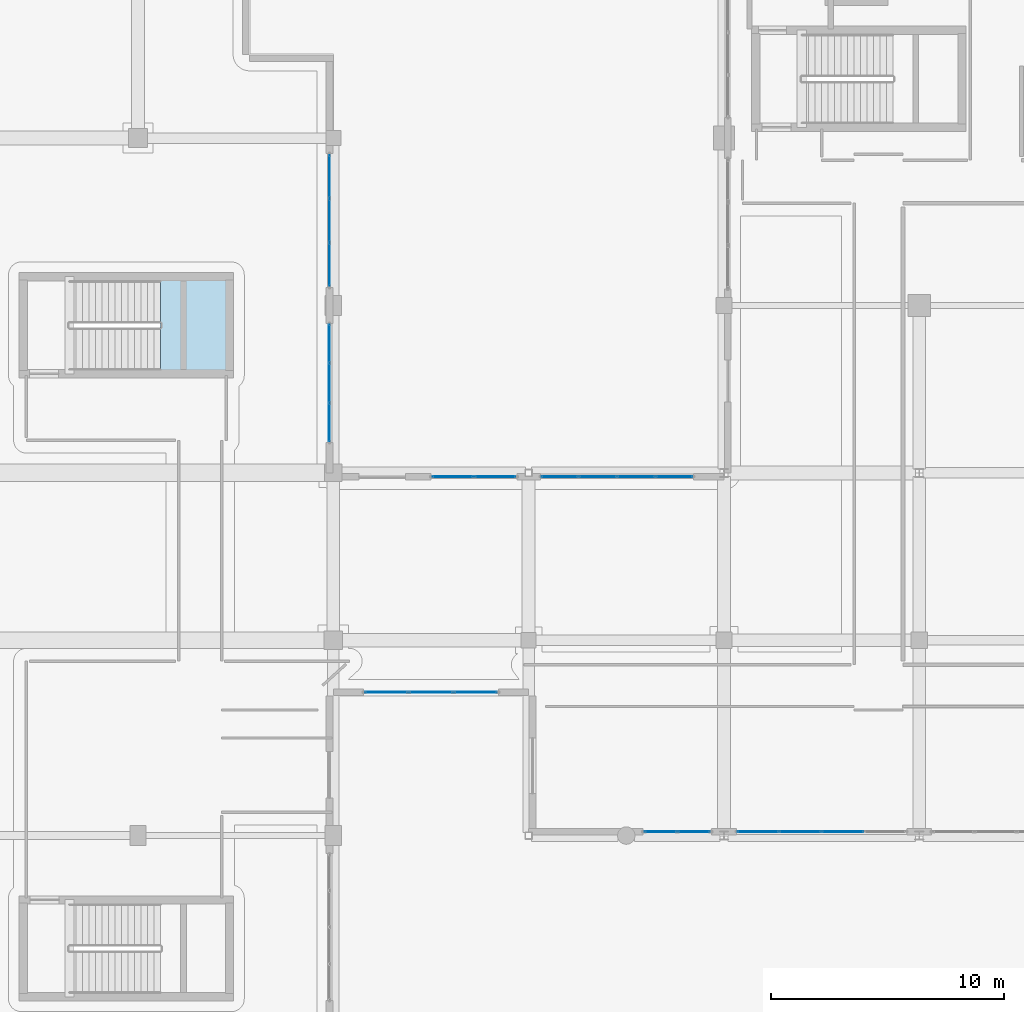
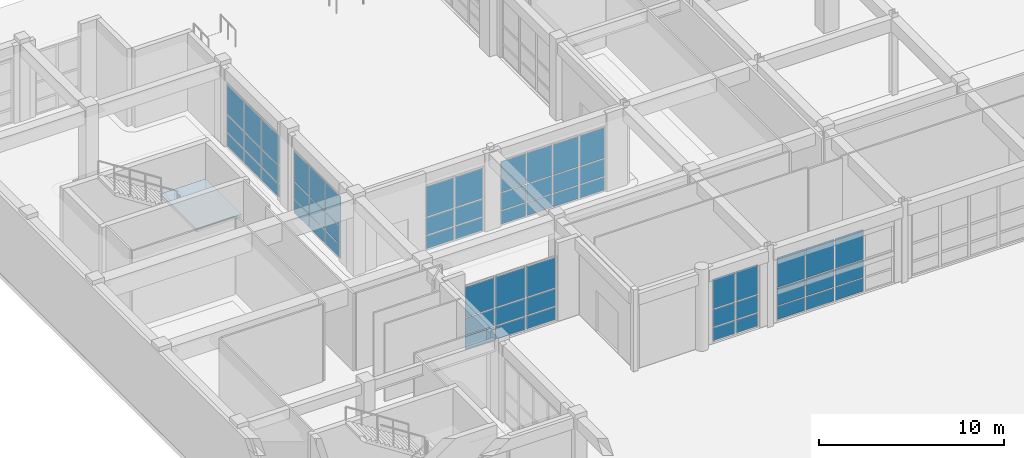
# One storey, part 113 of 148: 60 plates, 1 slab, 8 elements without a shape of their own.
"""IFC4 building model written with IfcOpenShell, lengths in metres."""

from ifc_helpers import new_model, si_unit, direction, frame, origin, origin_2d, place, context, subcontext, project, spatial, polyline, rectangle, outline, extrude, material, layer, layer_set, type_object, element, aggregate, save


model = new_model("IFC4")

# Units and contexts
model_context = context("Model", 3, precision=1e-05, world=origin(), true_north=direction((0.0, 1.0)))
body_context = subcontext(model_context, "Body", "Model", "MODEL_VIEW")
ifc_project = project(units=[si_unit("LENGTHUNIT", "METRE"), si_unit("AREAUNIT", "SQUARE_METRE"), si_unit("VOLUMEUNIT", "CUBIC_METRE"), si_unit("PLANEANGLEUNIT", "RADIAN"), si_unit("MASSUNIT", "GRAM", prefix="KILO")], contexts=[model_context])

# Site, building, storey
site_placement = place(None, origin())
site = spatial("IfcSite", under=ifc_project, at=site_placement, CompositionType="ELEMENT")
building_placement = place(site_placement, origin())
building = spatial("IfcBuilding", under=site, at=building_placement, Name="Quendrovan Civic Courthouse", CompositionType="ELEMENT")
storey_placement = place(building_placement, origin())
storey = spatial("IfcBuildingStorey", under=building, at=storey_placement, Name="L01", CompositionType="ELEMENT", Elevation=0.0)

# Curtain wall, plates
ifc_material_1 = material(Name="Bronze anodised aluminium and low-E glass", Category="aluminium")
ifc_layer_1 = layer(ifc_material_1, 0.179931640625, Name="Bronze anodised aluminium and low-E glass")
ifc_layer_set_1 = layer_set([ifc_layer_1], Name="Bronze anodised aluminium and low-E glass")
curtain_wall_type_1 = type_object("IfcCurtainWallType", Name="CW-U58x43", PredefinedType="USERDEFINED", material=ifc_layer_set_1)
curtain_wall_1_placement = place(storey_placement, origin())
curtain_wall_1 = element("IfcCurtainWall", 1, at=curtain_wall_1_placement, inside=storey, type_object=curtain_wall_type_1, Name="L01 Unitised Hurricane Curtain Wall CW-012", ObjectType="UNITISED CURTAIN WALL", PredefinedType="USERDEFINED")
ifc_material_2 = material(Name="Laminated hurricane-impact low-E glass", Category="glass")
ifc_layer_2 = layer(ifc_material_2, 0.028076171875, Name="Laminated hurricane-impact low-E glass")
ifc_layer_set_2 = layer_set([ifc_layer_2], Name="Laminated hurricane-impact low-E glass")
plate_type_1 = type_object("IfcPlateType", Name="CW-PNL-1", PredefinedType="CURTAIN_PANEL", material=ifc_layer_set_2)
plate_1_placement = place(storey_placement, frame((22.915771484375, 70.965087890625, 0.06982421875), z_axis=(0.0, 0.0, 1.0), x_axis=(-1.0, 0.0, 0.0)))
plate_1 = element("IfcPlate", 2, at=plate_1_placement, type_object=plate_type_1, Name="CW-012 panel 1.1", PredefinedType="CURTAIN_PANEL", context=body_context, shape_type="SweptSolid", body=[
    extrude(rectangle(XDim=1.828369140625, YDim=0.028076171875, at=origin_2d()), origin(), (0.0, 0.0, 1.0), 0.844970703125),
])
plate_2_placement = place(storey_placement, frame((22.915771484375, 70.965087890625, 0.985107421875), z_axis=(0.0, 0.0, 1.0), x_axis=(-1.0, 0.0, 0.0)))
plate_2 = element("IfcPlate", 3, at=plate_2_placement, type_object=plate_type_1, Name="CW-012 panel 1.2", PredefinedType="CURTAIN_PANEL", context=body_context, shape_type="SweptSolid", body=[
    extrude(rectangle(XDim=1.828369140625, YDim=0.028076171875, at=origin_2d()), origin(), (0.0, 0.0, 1.0), 1.1298828125),
])
plate_3_placement = place(storey_placement, frame((22.915771484375, 70.965087890625, 2.18505859375), z_axis=(0.0, 0.0, 1.0), x_axis=(-1.0, 0.0, 0.0)))
plate_3 = element("IfcPlate", 4, at=plate_3_placement, type_object=plate_type_1, Name="CW-012 panel 1.3", PredefinedType="CURTAIN_PANEL", context=body_context, shape_type="SweptSolid", body=[
    extrude(rectangle(XDim=1.828369140625, YDim=0.028076171875, at=origin_2d()), origin(), (0.0, 0.0, 1.0), 2.0048828125),
])
plate_4_placement = place(storey_placement, frame((21.0, 70.965087890625, 0.06982421875), z_axis=(0.0, 0.0, 1.0), x_axis=(-1.0, 0.0, 0.0)))
plate_4 = element("IfcPlate", 5, at=plate_4_placement, type_object=plate_type_1, Name="CW-012 panel 2.1", PredefinedType="CURTAIN_PANEL", context=body_context, shape_type="SweptSolid", body=[
    extrude(rectangle(XDim=1.86328125, YDim=0.028076171875, at=origin_2d()), origin(), (0.0, 0.0, 1.0), 0.844970703125),
])
plate_5_placement = place(storey_placement, frame((21.0, 70.965087890625, 0.985107421875), z_axis=(0.0, 0.0, 1.0), x_axis=(-1.0, 0.0, 0.0)))
plate_5 = element("IfcPlate", 6, at=plate_5_placement, type_object=plate_type_1, Name="CW-012 panel 2.2", PredefinedType="CURTAIN_PANEL", context=body_context, shape_type="SweptSolid", body=[
    extrude(rectangle(XDim=1.86328125, YDim=0.028076171875, at=origin_2d()), origin(), (0.0, 0.0, 1.0), 1.1298828125),
])
plate_6_placement = place(storey_placement, frame((21.0, 70.965087890625, 2.18505859375), z_axis=(0.0, 0.0, 1.0), x_axis=(-1.0, 0.0, 0.0)))
plate_6 = element("IfcPlate", 7, at=plate_6_placement, type_object=plate_type_1, Name="CW-012 panel 2.3", PredefinedType="CURTAIN_PANEL", context=body_context, shape_type="SweptSolid", body=[
    extrude(rectangle(XDim=1.86328125, YDim=0.028076171875, at=origin_2d()), origin(), (0.0, 0.0, 1.0), 2.0048828125),
])
plate_7_placement = place(storey_placement, frame((19.084228515625, 70.965087890625, 0.06982421875), z_axis=(0.0, 0.0, 1.0), x_axis=(-1.0, 0.0, 0.0)))
plate_7 = element("IfcPlate", 8, at=plate_7_placement, type_object=plate_type_1, Name="CW-012 panel 3.1", PredefinedType="CURTAIN_PANEL", context=body_context, shape_type="SweptSolid", body=[
    extrude(rectangle(XDim=1.828369140625, YDim=0.028076171875, at=origin_2d()), origin(), (0.0, 0.0, 1.0), 0.844970703125),
])
plate_8_placement = place(storey_placement, frame((19.084228515625, 70.965087890625, 0.985107421875), z_axis=(0.0, 0.0, 1.0), x_axis=(-1.0, 0.0, 0.0)))
plate_8 = element("IfcPlate", 9, at=plate_8_placement, type_object=plate_type_1, Name="CW-012 panel 3.2", PredefinedType="CURTAIN_PANEL", context=body_context, shape_type="SweptSolid", body=[
    extrude(rectangle(XDim=1.828369140625, YDim=0.028076171875, at=origin_2d()), origin(), (0.0, 0.0, 1.0), 1.1298828125),
])
plate_9_placement = place(storey_placement, frame((19.084228515625, 70.965087890625, 2.18505859375), z_axis=(0.0, 0.0, 1.0), x_axis=(-1.0, 0.0, 0.0)))
plate_9 = element("IfcPlate", 10, at=plate_9_placement, type_object=plate_type_1, Name="CW-012 panel 3.3", PredefinedType="CURTAIN_PANEL", context=body_context, shape_type="SweptSolid", body=[
    extrude(rectangle(XDim=1.828369140625, YDim=0.028076171875, at=origin_2d()), origin(), (0.0, 0.0, 1.0), 2.0048828125),
])
aggregate(curtain_wall_1, [plate_1, plate_2, plate_3, plate_4, plate_5, plate_6, plate_7, plate_8, plate_9])

ifc_layer_3 = layer(ifc_material_1, 0.179931640625, Name="Bronze anodised aluminium and low-E glass")
ifc_layer_set_3 = layer_set([ifc_layer_3], Name="Bronze anodised aluminium and low-E glass")
curtain_wall_type_2 = type_object("IfcCurtainWallType", Name="CW-U37x43", PredefinedType="USERDEFINED", material=ifc_layer_set_3)
curtain_wall_2_placement = place(storey_placement, origin())
curtain_wall_2 = element("IfcCurtainWall", 11, at=curtain_wall_2_placement, inside=storey, type_object=curtain_wall_type_2, Name="L01 Unitised Hurricane Curtain Wall CW-020", ObjectType="UNITISED CURTAIN WALL", PredefinedType="USERDEFINED")
plate_10_placement = place(storey_placement, frame((21.9423828125, 80.235107421875, 0.06982421875), z_axis=(0.0, 0.0, 1.0), x_axis=(1.0, 0.0, 0.0)))
plate_10 = element("IfcPlate", 12, at=plate_10_placement, type_object=plate_type_1, Name="CW-020 panel 1.1", PredefinedType="CURTAIN_PANEL", context=body_context, shape_type="SweptSolid", body=[
    extrude(rectangle(XDim=1.7451171875, YDim=0.028076171875, at=origin_2d()), origin(), (0.0, 0.0, 1.0), 0.844970703125),
])
plate_11_placement = place(storey_placement, frame((21.9423828125, 80.235107421875, 0.985107421875), z_axis=(0.0, 0.0, 1.0), x_axis=(1.0, 0.0, 0.0)))
plate_11 = element("IfcPlate", 13, at=plate_11_placement, type_object=plate_type_1, Name="CW-020 panel 1.2", PredefinedType="CURTAIN_PANEL", context=body_context, shape_type="SweptSolid", body=[
    extrude(rectangle(XDim=1.7451171875, YDim=0.028076171875, at=origin_2d()), origin(), (0.0, 0.0, 1.0), 1.1298828125),
])
plate_12_placement = place(storey_placement, frame((21.9423828125, 80.235107421875, 2.18505859375), z_axis=(0.0, 0.0, 1.0), x_axis=(1.0, 0.0, 0.0)))
plate_12 = element("IfcPlate", 14, at=plate_12_placement, type_object=plate_type_1, Name="CW-020 panel 1.3", PredefinedType="CURTAIN_PANEL", context=body_context, shape_type="SweptSolid", body=[
    extrude(rectangle(XDim=1.7451171875, YDim=0.028076171875, at=origin_2d()), origin(), (0.0, 0.0, 1.0), 2.0048828125),
])
plate_13_placement = place(storey_placement, frame((23.757568359375, 80.235107421875, 0.06982421875), z_axis=(0.0, 0.0, 1.0), x_axis=(1.0, 0.0, 0.0)))
plate_13 = element("IfcPlate", 15, at=plate_13_placement, type_object=plate_type_1, Name="CW-020 panel 2.1", PredefinedType="CURTAIN_PANEL", context=body_context, shape_type="SweptSolid", body=[
    extrude(rectangle(XDim=1.7451171875, YDim=0.028076171875, at=origin_2d()), origin(), (0.0, 0.0, 1.0), 0.844970703125),
])
plate_14_placement = place(storey_placement, frame((23.757568359375, 80.235107421875, 0.985107421875), z_axis=(0.0, 0.0, 1.0), x_axis=(1.0, 0.0, 0.0)))
plate_14 = element("IfcPlate", 16, at=plate_14_placement, type_object=plate_type_1, Name="CW-020 panel 2.2", PredefinedType="CURTAIN_PANEL", context=body_context, shape_type="SweptSolid", body=[
    extrude(rectangle(XDim=1.7451171875, YDim=0.028076171875, at=origin_2d()), origin(), (0.0, 0.0, 1.0), 1.1298828125),
])
plate_15_placement = place(storey_placement, frame((23.757568359375, 80.235107421875, 2.18505859375), z_axis=(0.0, 0.0, 1.0), x_axis=(1.0, 0.0, 0.0)))
plate_15 = element("IfcPlate", 17, at=plate_15_placement, type_object=plate_type_1, Name="CW-020 panel 2.3", PredefinedType="CURTAIN_PANEL", context=body_context, shape_type="SweptSolid", body=[
    extrude(rectangle(XDim=1.7451171875, YDim=0.028076171875, at=origin_2d()), origin(), (0.0, 0.0, 1.0), 2.0048828125),
])
aggregate(curtain_wall_2, [plate_10, plate_11, plate_12, plate_13, plate_14, plate_15])

ifc_layer_4 = layer(ifc_material_1, 0.179931640625, Name="Bronze anodised aluminium and low-E glass")
ifc_layer_set_4 = layer_set([ifc_layer_4], Name="Bronze anodised aluminium and low-E glass")
curtain_wall_type_3 = type_object("IfcCurtainWallType", Name="CW-U66x43", PredefinedType="USERDEFINED", material=ifc_layer_set_4)
curtain_wall_3_placement = place(storey_placement, origin())
curtain_wall_3 = element("IfcCurtainWall", 18, at=curtain_wall_3_placement, inside=storey, type_object=curtain_wall_type_3, Name="L01 Unitised Hurricane Curtain Wall CW-021", ObjectType="UNITISED CURTAIN WALL", PredefinedType="USERDEFINED")
ifc_layer_5 = layer(ifc_material_2, 0.031982421875, Name="Laminated hurricane-impact low-E glass")
ifc_layer_set_5 = layer_set([ifc_layer_5], Name="Laminated hurricane-impact low-E glass")
plate_type_2 = type_object("IfcPlateType", Name="CW-PNL-2", PredefinedType="CURTAIN_PANEL", material=ifc_layer_set_5)
plate_16_placement = place(storey_placement, frame((26.541259765625, 80.235107421875, 0.06494140625), z_axis=(0.0, 0.0, 1.0), x_axis=(1.0, 0.0, 0.0)))
plate_16 = element("IfcPlate", 19, at=plate_16_placement, type_object=plate_type_2, Name="CW-021 panel 1.1", PredefinedType="CURTAIN_PANEL", context=body_context, shape_type="SweptSolid", body=[
    extrude(rectangle(XDim=1.552490234375, YDim=0.031982421875, at=origin_2d()), origin(), (0.0, 0.0, 1.0), 0.8525390625),
])
plate_17_placement = place(storey_placement, frame((26.541259765625, 80.235107421875, 0.982421875), z_axis=(0.0, 0.0, 1.0), x_axis=(1.0, 0.0, 0.0)))
plate_17 = element("IfcPlate", 20, at=plate_17_placement, type_object=plate_type_2, Name="CW-021 panel 1.2", PredefinedType="CURTAIN_PANEL", context=body_context, shape_type="SweptSolid", body=[
    extrude(rectangle(XDim=1.552490234375, YDim=0.031982421875, at=origin_2d()), origin(), (0.0, 0.0, 1.0), 1.135009765625),
])
plate_18_placement = place(storey_placement, frame((26.541259765625, 80.235107421875, 2.1826171875), z_axis=(0.0, 0.0, 1.0), x_axis=(1.0, 0.0, 0.0)))
plate_18 = element("IfcPlate", 21, at=plate_18_placement, type_object=plate_type_2, Name="CW-021 panel 1.3", PredefinedType="CURTAIN_PANEL", context=body_context, shape_type="SweptSolid", body=[
    extrude(rectangle(XDim=1.552490234375, YDim=0.031982421875, at=origin_2d()), origin(), (0.0, 0.0, 1.0), 2.012451171875),
])
plate_19_placement = place(storey_placement, frame((28.175048828125, 80.235107421875, 0.06494140625), z_axis=(0.0, 0.0, 1.0), x_axis=(1.0, 0.0, 0.0)))
plate_19 = element("IfcPlate", 22, at=plate_19_placement, type_object=plate_type_2, Name="CW-021 panel 2.1", PredefinedType="CURTAIN_PANEL", context=body_context, shape_type="SweptSolid", body=[
    extrude(rectangle(XDim=1.5849609375, YDim=0.031982421875, at=origin_2d()), origin(), (0.0, 0.0, 1.0), 0.8525390625),
])
plate_20_placement = place(storey_placement, frame((28.175048828125, 80.235107421875, 0.982421875), z_axis=(0.0, 0.0, 1.0), x_axis=(1.0, 0.0, 0.0)))
plate_20 = element("IfcPlate", 23, at=plate_20_placement, type_object=plate_type_2, Name="CW-021 panel 2.2", PredefinedType="CURTAIN_PANEL", context=body_context, shape_type="SweptSolid", body=[
    extrude(rectangle(XDim=1.5849609375, YDim=0.031982421875, at=origin_2d()), origin(), (0.0, 0.0, 1.0), 1.135009765625),
])
plate_21_placement = place(storey_placement, frame((28.175048828125, 80.235107421875, 2.1826171875), z_axis=(0.0, 0.0, 1.0), x_axis=(1.0, 0.0, 0.0)))
plate_21 = element("IfcPlate", 24, at=plate_21_placement, type_object=plate_type_2, Name="CW-021 panel 2.3", PredefinedType="CURTAIN_PANEL", context=body_context, shape_type="SweptSolid", body=[
    extrude(rectangle(XDim=1.5849609375, YDim=0.031982421875, at=origin_2d()), origin(), (0.0, 0.0, 1.0), 2.012451171875),
])
plate_22_placement = place(storey_placement, frame((29.824951171875, 80.235107421875, 0.06494140625), z_axis=(0.0, 0.0, 1.0), x_axis=(1.0, 0.0, 0.0)))
plate_22 = element("IfcPlate", 25, at=plate_22_placement, type_object=plate_type_2, Name="CW-021 panel 3.1", PredefinedType="CURTAIN_PANEL", context=body_context, shape_type="SweptSolid", body=[
    extrude(rectangle(XDim=1.5849609375, YDim=0.031982421875, at=origin_2d()), origin(), (0.0, 0.0, 1.0), 0.8525390625),
])
plate_23_placement = place(storey_placement, frame((29.824951171875, 80.235107421875, 0.982421875), z_axis=(0.0, 0.0, 1.0), x_axis=(1.0, 0.0, 0.0)))
plate_23 = element("IfcPlate", 26, at=plate_23_placement, type_object=plate_type_2, Name="CW-021 panel 3.2", PredefinedType="CURTAIN_PANEL", context=body_context, shape_type="SweptSolid", body=[
    extrude(rectangle(XDim=1.5849609375, YDim=0.031982421875, at=origin_2d()), origin(), (0.0, 0.0, 1.0), 1.135009765625),
])
plate_24_placement = place(storey_placement, frame((29.824951171875, 80.235107421875, 2.1826171875), z_axis=(0.0, 0.0, 1.0), x_axis=(1.0, 0.0, 0.0)))
plate_24 = element("IfcPlate", 27, at=plate_24_placement, type_object=plate_type_2, Name="CW-021 panel 3.3", PredefinedType="CURTAIN_PANEL", context=body_context, shape_type="SweptSolid", body=[
    extrude(rectangle(XDim=1.5849609375, YDim=0.031982421875, at=origin_2d()), origin(), (0.0, 0.0, 1.0), 2.012451171875),
])
plate_25_placement = place(storey_placement, frame((31.458740234375, 80.235107421875, 0.06494140625), z_axis=(0.0, 0.0, 1.0), x_axis=(1.0, 0.0, 0.0)))
plate_25 = element("IfcPlate", 28, at=plate_25_placement, type_object=plate_type_2, Name="CW-021 panel 4.1", PredefinedType="CURTAIN_PANEL", context=body_context, shape_type="SweptSolid", body=[
    extrude(rectangle(XDim=1.552490234375, YDim=0.031982421875, at=origin_2d()), origin(), (0.0, 0.0, 1.0), 0.8525390625),
])
plate_26_placement = place(storey_placement, frame((31.458740234375, 80.235107421875, 0.982421875), z_axis=(0.0, 0.0, 1.0), x_axis=(1.0, 0.0, 0.0)))
plate_26 = element("IfcPlate", 29, at=plate_26_placement, type_object=plate_type_2, Name="CW-021 panel 4.2", PredefinedType="CURTAIN_PANEL", context=body_context, shape_type="SweptSolid", body=[
    extrude(rectangle(XDim=1.552490234375, YDim=0.031982421875, at=origin_2d()), origin(), (0.0, 0.0, 1.0), 1.135009765625),
])
plate_27_placement = place(storey_placement, frame((31.458740234375, 80.235107421875, 2.1826171875), z_axis=(0.0, 0.0, 1.0), x_axis=(1.0, 0.0, 0.0)))
plate_27 = element("IfcPlate", 30, at=plate_27_placement, type_object=plate_type_2, Name="CW-021 panel 4.3", PredefinedType="CURTAIN_PANEL", context=body_context, shape_type="SweptSolid", body=[
    extrude(rectangle(XDim=1.552490234375, YDim=0.031982421875, at=origin_2d()), origin(), (0.0, 0.0, 1.0), 2.012451171875),
])
aggregate(curtain_wall_3, [plate_16, plate_17, plate_18, plate_19, plate_20, plate_21, plate_22, plate_23, plate_24, plate_25, plate_26, plate_27])

ifc_layer_6 = layer(ifc_material_1, 0.179931640625, Name="Bronze anodised aluminium and low-E glass")
ifc_layer_set_6 = layer_set([ifc_layer_6], Name="Bronze anodised aluminium and low-E glass")
curtain_wall_type_4 = type_object("IfcCurtainWallType", Name="CW-U73x42", PredefinedType="USERDEFINED", material=ifc_layer_set_6)
curtain_wall_4_placement = place(storey_placement, origin())
curtain_wall_4 = element("IfcCurtainWall", 31, at=curtain_wall_4_placement, inside=storey, type_object=curtain_wall_type_4, Name="L01 Unitised Hurricane Curtain Wall CW-065", ObjectType="UNITISED CURTAIN WALL", PredefinedType="USERDEFINED")
plate_28_placement = place(storey_placement, frame((38.7158203125, 64.965087890625, 0.06494140625), z_axis=(0.0, 0.0, 1.0), x_axis=(-1.0, 0.0, 0.0)))
plate_28 = element("IfcPlate", 32, at=plate_28_placement, type_object=plate_type_2, Name="CW-065 panel 2.1", PredefinedType="CURTAIN_PANEL", context=body_context, shape_type="SweptSolid", body=[
    extrude(rectangle(XDim=1.7666015625, YDim=0.031982421875, at=origin_2d()), origin(), (0.0, 0.0, 1.0), 0.8525390625),
])
plate_29_placement = place(storey_placement, frame((38.7158203125, 64.965087890625, 0.982421875), z_axis=(0.0, 0.0, 1.0), x_axis=(-1.0, 0.0, 0.0)))
plate_29 = element("IfcPlate", 33, at=plate_29_placement, type_object=plate_type_2, Name="CW-065 panel 2.2", PredefinedType="CURTAIN_PANEL", context=body_context, shape_type="SweptSolid", body=[
    extrude(rectangle(XDim=1.7666015625, YDim=0.031982421875, at=origin_2d()), origin(), (0.0, 0.0, 1.0), 1.135009765625),
])
plate_30_placement = place(storey_placement, frame((38.7158203125, 64.965087890625, 2.1826171875), z_axis=(0.0, 0.0, 1.0), x_axis=(-1.0, 0.0, 0.0)))
plate_30 = element("IfcPlate", 34, at=plate_30_placement, type_object=plate_type_2, Name="CW-065 panel 2.3", PredefinedType="CURTAIN_PANEL", context=body_context, shape_type="SweptSolid", body=[
    extrude(rectangle(XDim=1.7666015625, YDim=0.031982421875, at=origin_2d()), origin(), (0.0, 0.0, 1.0), 1.952392578125),
])
plate_31_placement = place(storey_placement, frame((36.88427734375, 64.965087890625, 0.06494140625), z_axis=(0.0, 0.0, 1.0), x_axis=(-1.0, 0.0, 0.0)))
plate_31 = element("IfcPlate", 35, at=plate_31_placement, type_object=plate_type_2, Name="CW-065 panel 3.1", PredefinedType="CURTAIN_PANEL", context=body_context, shape_type="SweptSolid", body=[
    extrude(rectangle(XDim=1.7666015625, YDim=0.031982421875, at=origin_2d()), origin(), (0.0, 0.0, 1.0), 0.8525390625),
])
plate_32_placement = place(storey_placement, frame((36.88427734375, 64.965087890625, 0.982421875), z_axis=(0.0, 0.0, 1.0), x_axis=(-1.0, 0.0, 0.0)))
plate_32 = element("IfcPlate", 36, at=plate_32_placement, type_object=plate_type_2, Name="CW-065 panel 3.2", PredefinedType="CURTAIN_PANEL", context=body_context, shape_type="SweptSolid", body=[
    extrude(rectangle(XDim=1.7666015625, YDim=0.031982421875, at=origin_2d()), origin(), (0.0, 0.0, 1.0), 1.135009765625),
])
plate_33_placement = place(storey_placement, frame((36.88427734375, 64.965087890625, 2.1826171875), z_axis=(0.0, 0.0, 1.0), x_axis=(-1.0, 0.0, 0.0)))
plate_33 = element("IfcPlate", 37, at=plate_33_placement, type_object=plate_type_2, Name="CW-065 panel 3.3", PredefinedType="CURTAIN_PANEL", context=body_context, shape_type="SweptSolid", body=[
    extrude(rectangle(XDim=1.7666015625, YDim=0.031982421875, at=origin_2d()), origin(), (0.0, 0.0, 1.0), 1.952392578125),
])
plate_34_placement = place(storey_placement, frame((35.069091796875, 64.965087890625, 0.06494140625), z_axis=(0.0, 0.0, 1.0), x_axis=(-1.0, 0.0, 0.0)))
plate_34 = element("IfcPlate", 38, at=plate_34_placement, type_object=plate_type_2, Name="CW-065 panel 4.1", PredefinedType="CURTAIN_PANEL", context=body_context, shape_type="SweptSolid", body=[
    extrude(rectangle(XDim=1.73388671875, YDim=0.031982421875, at=origin_2d()), origin(), (0.0, 0.0, 1.0), 0.8525390625),
])
plate_35_placement = place(storey_placement, frame((35.069091796875, 64.965087890625, 0.982421875), z_axis=(0.0, 0.0, 1.0), x_axis=(-1.0, 0.0, 0.0)))
plate_35 = element("IfcPlate", 39, at=plate_35_placement, type_object=plate_type_2, Name="CW-065 panel 4.2", PredefinedType="CURTAIN_PANEL", context=body_context, shape_type="SweptSolid", body=[
    extrude(rectangle(XDim=1.73388671875, YDim=0.031982421875, at=origin_2d()), origin(), (0.0, 0.0, 1.0), 1.135009765625),
])
plate_36_placement = place(storey_placement, frame((35.069091796875, 64.965087890625, 2.1826171875), z_axis=(0.0, 0.0, 1.0), x_axis=(-1.0, 0.0, 0.0)))
plate_36 = element("IfcPlate", 40, at=plate_36_placement, type_object=plate_type_2, Name="CW-065 panel 4.3", PredefinedType="CURTAIN_PANEL", context=body_context, shape_type="SweptSolid", body=[
    extrude(rectangle(XDim=1.73388671875, YDim=0.031982421875, at=origin_2d()), origin(), (0.0, 0.0, 1.0), 1.952392578125),
])
aggregate(curtain_wall_4, [plate_28, plate_29, plate_30, plate_31, plate_32, plate_33, plate_34, plate_35, plate_36])

ifc_layer_7 = layer(ifc_material_1, 0.179931640625, Name="Bronze anodised aluminium and low-E glass")
ifc_layer_set_7 = layer_set([ifc_layer_7], Name="Bronze anodised aluminium and low-E glass")
curtain_wall_type_5 = type_object("IfcCurtainWallType", Name="CW-U58x42", PredefinedType="USERDEFINED", material=ifc_layer_set_7)
curtain_wall_5_placement = place(storey_placement, origin())
curtain_wall_5 = element("IfcCurtainWall", 41, at=curtain_wall_5_placement, inside=storey, type_object=curtain_wall_type_5, Name="L01 Unitised Hurricane Curtain Wall CW-018", ObjectType="UNITISED CURTAIN WALL", PredefinedType="USERDEFINED")
ifc_layer_8 = layer(ifc_material_2, 0.035888671875, Name="Laminated hurricane-impact low-E glass")
ifc_layer_set_8 = layer_set([ifc_layer_8], Name="Laminated hurricane-impact low-E glass")
plate_type_3 = type_object("IfcPlateType", Name="CW-PNL-3", PredefinedType="CURTAIN_PANEL", material=ifc_layer_set_8)
plate_37_placement = place(storey_placement, frame((16.635009765625, 93.149169921875, 0.06982421875), z_axis=(0.0, 0.0, 1.0), x_axis=(0.0, -1.0, 0.0)))
plate_37 = element("IfcPlate", 42, at=plate_37_placement, type_object=plate_type_3, Name="CW-018 panel 1.1", PredefinedType="CURTAIN_PANEL", context=body_context, shape_type="SweptSolid", body=[
    extrude(rectangle(XDim=1.811767578125, YDim=0.035888671875, at=origin_2d()), origin(), (0.0, 0.0, 1.0), 0.844970703125),
])
plate_38_placement = place(storey_placement, frame((16.635009765625, 93.149169921875, 0.985107421875), z_axis=(0.0, 0.0, 1.0), x_axis=(0.0, -1.0, 0.0)))
plate_38 = element("IfcPlate", 43, at=plate_38_placement, type_object=plate_type_3, Name="CW-018 panel 1.2", PredefinedType="CURTAIN_PANEL", context=body_context, shape_type="SweptSolid", body=[
    extrude(rectangle(XDim=1.811767578125, YDim=0.035888671875, at=origin_2d()), origin(), (0.0, 0.0, 1.0), 1.1298828125),
])
plate_39_placement = place(storey_placement, frame((16.635009765625, 93.149169921875, 2.18505859375), z_axis=(0.0, 0.0, 1.0), x_axis=(0.0, -1.0, 0.0)))
plate_39 = element("IfcPlate", 44, at=plate_39_placement, type_object=plate_type_3, Name="CW-018 panel 1.3", PredefinedType="CURTAIN_PANEL", context=body_context, shape_type="SweptSolid", body=[
    extrude(rectangle(XDim=1.811767578125, YDim=0.035888671875, at=origin_2d()), origin(), (0.0, 0.0, 1.0), 1.945068359375),
])
plate_40_placement = place(storey_placement, frame((16.635009765625, 91.25, 0.06982421875), z_axis=(0.0, 0.0, 1.0), x_axis=(0.0, -1.0, 0.0)))
plate_40 = element("IfcPlate", 45, at=plate_40_placement, type_object=plate_type_3, Name="CW-018 panel 2.1", PredefinedType="CURTAIN_PANEL", context=body_context, shape_type="SweptSolid", body=[
    extrude(rectangle(XDim=1.8466796875, YDim=0.035888671875, at=origin_2d()), origin(), (0.0, 0.0, 1.0), 0.844970703125),
])
plate_41_placement = place(storey_placement, frame((16.635009765625, 91.25, 0.985107421875), z_axis=(0.0, 0.0, 1.0), x_axis=(0.0, -1.0, 0.0)))
plate_41 = element("IfcPlate", 46, at=plate_41_placement, type_object=plate_type_3, Name="CW-018 panel 2.2", PredefinedType="CURTAIN_PANEL", context=body_context, shape_type="SweptSolid", body=[
    extrude(rectangle(XDim=1.8466796875, YDim=0.035888671875, at=origin_2d()), origin(), (0.0, 0.0, 1.0), 1.1298828125),
])
plate_42_placement = place(storey_placement, frame((16.635009765625, 91.25, 2.18505859375), z_axis=(0.0, 0.0, 1.0), x_axis=(0.0, -1.0, 0.0)))
plate_42 = element("IfcPlate", 47, at=plate_42_placement, type_object=plate_type_3, Name="CW-018 panel 2.3", PredefinedType="CURTAIN_PANEL", context=body_context, shape_type="SweptSolid", body=[
    extrude(rectangle(XDim=1.8466796875, YDim=0.035888671875, at=origin_2d()), origin(), (0.0, 0.0, 1.0), 1.945068359375),
])
plate_43_placement = place(storey_placement, frame((16.635009765625, 89.350830078125, 0.06982421875), z_axis=(0.0, 0.0, 1.0), x_axis=(0.0, -1.0, 0.0)))
plate_43 = element("IfcPlate", 48, at=plate_43_placement, type_object=plate_type_3, Name="CW-018 panel 3.1", PredefinedType="CURTAIN_PANEL", context=body_context, shape_type="SweptSolid", body=[
    extrude(rectangle(XDim=1.811767578125, YDim=0.035888671875, at=origin_2d()), origin(), (0.0, 0.0, 1.0), 0.844970703125),
])
plate_44_placement = place(storey_placement, frame((16.635009765625, 89.350830078125, 0.985107421875), z_axis=(0.0, 0.0, 1.0), x_axis=(0.0, -1.0, 0.0)))
plate_44 = element("IfcPlate", 49, at=plate_44_placement, type_object=plate_type_3, Name="CW-018 panel 3.2", PredefinedType="CURTAIN_PANEL", context=body_context, shape_type="SweptSolid", body=[
    extrude(rectangle(XDim=1.811767578125, YDim=0.035888671875, at=origin_2d()), origin(), (0.0, 0.0, 1.0), 1.1298828125),
])
plate_45_placement = place(storey_placement, frame((16.635009765625, 89.350830078125, 2.18505859375), z_axis=(0.0, 0.0, 1.0), x_axis=(0.0, -1.0, 0.0)))
plate_45 = element("IfcPlate", 50, at=plate_45_placement, type_object=plate_type_3, Name="CW-018 panel 3.3", PredefinedType="CURTAIN_PANEL", context=body_context, shape_type="SweptSolid", body=[
    extrude(rectangle(XDim=1.811767578125, YDim=0.035888671875, at=origin_2d()), origin(), (0.0, 0.0, 1.0), 1.945068359375),
])
aggregate(curtain_wall_5, [plate_37, plate_38, plate_39, plate_40, plate_41, plate_42, plate_43, plate_44, plate_45])

ifc_layer_9 = layer(ifc_material_1, 0.179931640625, Name="Bronze anodised aluminium and low-E glass")
ifc_layer_set_9 = layer_set([ifc_layer_9], Name="Bronze anodised aluminium and low-E glass")
curtain_wall_type_6 = type_object("IfcCurtainWallType", Name="CW-U29x42", PredefinedType="USERDEFINED", material=ifc_layer_set_9)
curtain_wall_6_placement = place(storey_placement, origin())
curtain_wall_6 = element("IfcCurtainWall", 51, at=curtain_wall_6_placement, inside=storey, type_object=curtain_wall_type_6, Name="L01 Unitised Hurricane Curtain Wall CW-066", ObjectType="UNITISED CURTAIN WALL", PredefinedType="USERDEFINED")
plate_46_placement = place(storey_placement, frame((32.31103515625, 64.965087890625, 0.06982421875), z_axis=(0.0, 0.0, 1.0), x_axis=(-1.0, 0.0, 0.0)))
plate_46 = element("IfcPlate", 52, at=plate_46_placement, type_object=plate_type_3, Name="CW-066 panel 1.1", PredefinedType="CURTAIN_PANEL", context=body_context, shape_type="SweptSolid", body=[
    extrude(rectangle(XDim=1.364013671875, YDim=0.035888671875, at=origin_2d()), origin(), (0.0, 0.0, 1.0), 0.844970703125),
])
plate_47_placement = place(storey_placement, frame((32.31103515625, 64.965087890625, 0.985107421875), z_axis=(0.0, 0.0, 1.0), x_axis=(-1.0, 0.0, 0.0)))
plate_47 = element("IfcPlate", 53, at=plate_47_placement, type_object=plate_type_3, Name="CW-066 panel 1.2", PredefinedType="CURTAIN_PANEL", context=body_context, shape_type="SweptSolid", body=[
    extrude(rectangle(XDim=1.364013671875, YDim=0.035888671875, at=origin_2d()), origin(), (0.0, 0.0, 1.0), 1.1298828125),
])
plate_48_placement = place(storey_placement, frame((32.31103515625, 64.965087890625, 2.18505859375), z_axis=(0.0, 0.0, 1.0), x_axis=(-1.0, 0.0, 0.0)))
plate_48 = element("IfcPlate", 54, at=plate_48_placement, type_object=plate_type_3, Name="CW-066 panel 1.3", PredefinedType="CURTAIN_PANEL", context=body_context, shape_type="SweptSolid", body=[
    extrude(rectangle(XDim=1.364013671875, YDim=0.035888671875, at=origin_2d()), origin(), (0.0, 0.0, 1.0), 1.945068359375),
])
plate_49_placement = place(storey_placement, frame((30.876953125, 64.965087890625, 0.06982421875), z_axis=(0.0, 0.0, 1.0), x_axis=(-1.0, 0.0, 0.0)))
plate_49 = element("IfcPlate", 55, at=plate_49_placement, type_object=plate_type_3, Name="CW-066 panel 2.1", PredefinedType="CURTAIN_PANEL", context=body_context, shape_type="SweptSolid", body=[
    extrude(rectangle(XDim=1.364013671875, YDim=0.035888671875, at=origin_2d()), origin(), (0.0, 0.0, 1.0), 0.844970703125),
])
plate_50_placement = place(storey_placement, frame((30.876953125, 64.965087890625, 0.985107421875), z_axis=(0.0, 0.0, 1.0), x_axis=(-1.0, 0.0, 0.0)))
plate_50 = element("IfcPlate", 56, at=plate_50_placement, type_object=plate_type_3, Name="CW-066 panel 2.2", PredefinedType="CURTAIN_PANEL", context=body_context, shape_type="SweptSolid", body=[
    extrude(rectangle(XDim=1.364013671875, YDim=0.035888671875, at=origin_2d()), origin(), (0.0, 0.0, 1.0), 1.1298828125),
])
plate_51_placement = place(storey_placement, frame((30.876953125, 64.965087890625, 2.18505859375), z_axis=(0.0, 0.0, 1.0), x_axis=(-1.0, 0.0, 0.0)))
plate_51 = element("IfcPlate", 57, at=plate_51_placement, type_object=plate_type_3, Name="CW-066 panel 2.3", PredefinedType="CURTAIN_PANEL", context=body_context, shape_type="SweptSolid", body=[
    extrude(rectangle(XDim=1.364013671875, YDim=0.035888671875, at=origin_2d()), origin(), (0.0, 0.0, 1.0), 1.945068359375),
])
aggregate(curtain_wall_6, [plate_46, plate_47, plate_48, plate_49, plate_50, plate_51])

ifc_layer_10 = layer(ifc_material_1, 0.179931640625, Name="Bronze anodised aluminium and low-E glass")
ifc_layer_set_10 = layer_set([ifc_layer_10], Name="Bronze anodised aluminium and low-E glass")
curtain_wall_type_7 = type_object("IfcCurtainWallType", Name="CW-U51x42", PredefinedType="USERDEFINED", material=ifc_layer_set_10)
curtain_wall_7_placement = place(storey_placement, origin())
curtain_wall_7 = element("IfcCurtainWall", 58, at=curtain_wall_7_placement, inside=storey, type_object=curtain_wall_type_7, Name="L01 Unitised Hurricane Curtain Wall CW-019", ObjectType="UNITISED CURTAIN WALL", PredefinedType="USERDEFINED")
ifc_layer_11 = layer(ifc_material_2, 0.0419921875, Name="Laminated hurricane-impact low-E glass")
ifc_layer_set_11 = layer_set([ifc_layer_11], Name="Laminated hurricane-impact low-E glass")
plate_type_4 = type_object("IfcPlateType", Name="CW-PNL-4", PredefinedType="CURTAIN_PANEL", material=ifc_layer_set_11)
plate_52_placement = place(storey_placement, frame((16.635009765625, 85.95458984375, 0.06494140625), z_axis=(0.0, 0.0, 1.0), x_axis=(0.0, -1.0, 0.0)))
plate_52 = element("IfcPlate", 59, at=plate_52_placement, type_object=plate_type_4, Name="CW-019 panel 1.1", PredefinedType="CURTAIN_PANEL", context=body_context, shape_type="SweptSolid", body=[
    extrude(rectangle(XDim=1.61083984375, YDim=0.0419921875, at=origin_2d()), origin(), (0.0, 0.0, 1.0), 0.8525390625),
])
plate_53_placement = place(storey_placement, frame((16.635009765625, 85.95458984375, 0.982421875), z_axis=(0.0, 0.0, 1.0), x_axis=(0.0, -1.0, 0.0)))
plate_53 = element("IfcPlate", 60, at=plate_53_placement, type_object=plate_type_4, Name="CW-019 panel 1.2", PredefinedType="CURTAIN_PANEL", context=body_context, shape_type="SweptSolid", body=[
    extrude(rectangle(XDim=1.61083984375, YDim=0.0419921875, at=origin_2d()), origin(), (0.0, 0.0, 1.0), 1.135009765625),
])
plate_54_placement = place(storey_placement, frame((16.635009765625, 85.95458984375, 2.1826171875), z_axis=(0.0, 0.0, 1.0), x_axis=(0.0, -1.0, 0.0)))
plate_54 = element("IfcPlate", 61, at=plate_54_placement, type_object=plate_type_4, Name="CW-019 panel 1.3", PredefinedType="CURTAIN_PANEL", context=body_context, shape_type="SweptSolid", body=[
    extrude(rectangle(XDim=1.61083984375, YDim=0.0419921875, at=origin_2d()), origin(), (0.0, 0.0, 1.0), 1.952392578125),
])
plate_55_placement = place(storey_placement, frame((16.635009765625, 84.262451171875, 0.06494140625), z_axis=(0.0, 0.0, 1.0), x_axis=(0.0, -1.0, 0.0)))
plate_55 = element("IfcPlate", 62, at=plate_55_placement, type_object=plate_type_4, Name="CW-019 panel 2.1", PredefinedType="CURTAIN_PANEL", context=body_context, shape_type="SweptSolid", body=[
    extrude(rectangle(XDim=1.643310546875, YDim=0.0419921875, at=origin_2d()), origin(), (0.0, 0.0, 1.0), 0.8525390625),
])
plate_56_placement = place(storey_placement, frame((16.635009765625, 84.262451171875, 0.982421875), z_axis=(0.0, 0.0, 1.0), x_axis=(0.0, -1.0, 0.0)))
plate_56 = element("IfcPlate", 63, at=plate_56_placement, type_object=plate_type_4, Name="CW-019 panel 2.2", PredefinedType="CURTAIN_PANEL", context=body_context, shape_type="SweptSolid", body=[
    extrude(rectangle(XDim=1.643310546875, YDim=0.0419921875, at=origin_2d()), origin(), (0.0, 0.0, 1.0), 1.135009765625),
])
plate_57_placement = place(storey_placement, frame((16.635009765625, 84.262451171875, 2.1826171875), z_axis=(0.0, 0.0, 1.0), x_axis=(0.0, -1.0, 0.0)))
plate_57 = element("IfcPlate", 64, at=plate_57_placement, type_object=plate_type_4, Name="CW-019 panel 2.3", PredefinedType="CURTAIN_PANEL", context=body_context, shape_type="SweptSolid", body=[
    extrude(rectangle(XDim=1.643310546875, YDim=0.0419921875, at=origin_2d()), origin(), (0.0, 0.0, 1.0), 1.952392578125),
])
plate_58_placement = place(storey_placement, frame((16.635009765625, 82.5703125, 0.06494140625), z_axis=(0.0, 0.0, 1.0), x_axis=(0.0, -1.0, 0.0)))
plate_58 = element("IfcPlate", 65, at=plate_58_placement, type_object=plate_type_4, Name="CW-019 panel 3.1", PredefinedType="CURTAIN_PANEL", context=body_context, shape_type="SweptSolid", body=[
    extrude(rectangle(XDim=1.61083984375, YDim=0.0419921875, at=origin_2d()), origin(), (0.0, 0.0, 1.0), 0.8525390625),
])
plate_59_placement = place(storey_placement, frame((16.635009765625, 82.5703125, 0.982421875), z_axis=(0.0, 0.0, 1.0), x_axis=(0.0, -1.0, 0.0)))
plate_59 = element("IfcPlate", 66, at=plate_59_placement, type_object=plate_type_4, Name="CW-019 panel 3.2", PredefinedType="CURTAIN_PANEL", context=body_context, shape_type="SweptSolid", body=[
    extrude(rectangle(XDim=1.61083984375, YDim=0.0419921875, at=origin_2d()), origin(), (0.0, 0.0, 1.0), 1.135009765625),
])
plate_60_placement = place(storey_placement, frame((16.635009765625, 82.5703125, 2.1826171875), z_axis=(0.0, 0.0, 1.0), x_axis=(0.0, -1.0, 0.0)))
plate_60 = element("IfcPlate", 67, at=plate_60_placement, type_object=plate_type_4, Name="CW-019 panel 3.3", PredefinedType="CURTAIN_PANEL", context=body_context, shape_type="SweptSolid", body=[
    extrude(rectangle(XDim=1.61083984375, YDim=0.0419921875, at=origin_2d()), origin(), (0.0, 0.0, 1.0), 1.952392578125),
])
aggregate(curtain_wall_7, [plate_52, plate_53, plate_54, plate_55, plate_56, plate_57, plate_58, plate_59, plate_60])

# Stair, slab
ifc_material_3 = material(Name="Precast concrete C45/55", Category="concrete")
stair_type = type_object("IfcStairType", Name="STR-FEAT-5400", PredefinedType="HALF_TURN_STAIR", material=ifc_material_3)
stair_placement = place(storey_placement, origin())
stair = element("IfcStair", 68, at=stair_placement, inside=storey, type_object=stair_type, Name="L01 North-West Law Library Exit Stair 8", PredefinedType="HALF_TURN_STAIR")
ifc_material_4 = material(Name="Concrete C40/50", Category="concrete")
ifc_layer_12 = layer(ifc_material_4, 0.199951171875, Name="Concrete C40/50")
ifc_layer_set_12 = layer_set([ifc_layer_12], Name="Concrete C40/50")
slab_type = type_object("IfcSlabType", Name="SLB-STAIR-LND200", PredefinedType="LANDING", material=ifc_layer_set_12)
slab_placement = place(storey_placement, frame((0.0, 0.0, 2.5)))
slab = element("IfcSlab", 69, at=slab_placement, type_object=slab_type, Name="ST8 landing 1", PredefinedType="LANDING", context=body_context, shape_type="SweptSolid", body=[
    extrude(outline(polyline([(9.3701171875, 84.800048828125), (12.199951171875, 84.800048828125), (12.199951171875, 88.679931640625), (9.3701171875, 88.679931640625), (9.3701171875, 84.800048828125)])), origin(), (0.0, 0.0, 1.0), 0.199951171875),
])
aggregate(stair, [slab])

save(model, "model.ifc")
